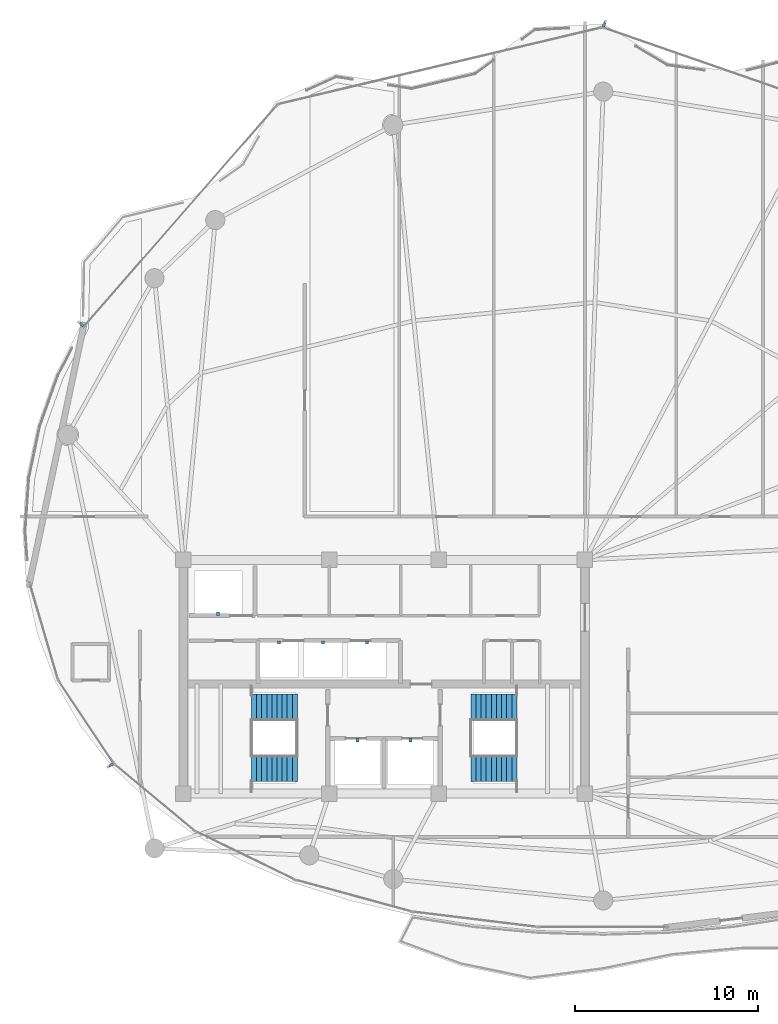
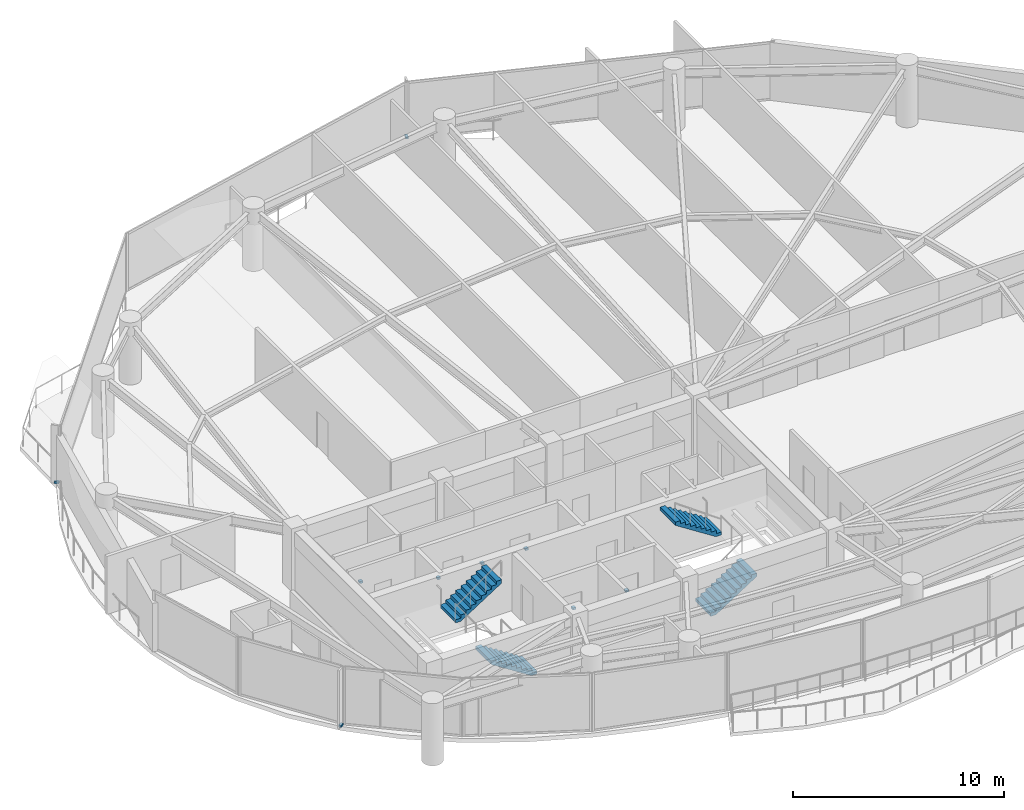
# One storey, part 25 of 28: 9 discrete accessories, 4 stair flights, 2 elements without a shape of their own.
"""IFC4 building model written with IfcOpenShell, lengths in metres."""

from ifc_helpers import new_model, si_unit, direction, frame, origin, origin_2d, place, context, subcontext, project, spatial, polyline, rectangle, outline, extrude, material, layer, layer_set, type_object, element, aggregate, save


model = new_model("IFC4")

# Units and contexts
model_context = context("Model", 3, precision=1e-05, world=origin(), true_north=direction((0.0, 1.0)))
body_context = subcontext(model_context, "Body", "Model", "MODEL_VIEW")
ifc_project = project(units=[si_unit("LENGTHUNIT", "METRE"), si_unit("AREAUNIT", "SQUARE_METRE"), si_unit("VOLUMEUNIT", "CUBIC_METRE"), si_unit("PLANEANGLEUNIT", "RADIAN"), si_unit("MASSUNIT", "GRAM", prefix="KILO")], contexts=[model_context])

# Site, building, storey
site_placement = place(None, origin())
site = spatial("IfcSite", under=ifc_project, at=site_placement, CompositionType="ELEMENT")
building_placement = place(site_placement, origin())
building = spatial("IfcBuilding", under=site, at=building_placement, Name="Kazevale Care Tower and Concert Hall", CompositionType="ELEMENT")
storey_placement = place(building_placement, frame((0.0, 0.0, 228.0)))
storey = spatial("IfcBuildingStorey", under=building, at=storey_placement, Name="L60", CompositionType="ELEMENT", Elevation=228.0)

# Stair, stair flights
ifc_material_1 = material(Name="Concrete C40", Category="concrete")
stair_type = type_object("IfcStairType", Name="Exit Stair Assembly ST1-Z3", PredefinedType="HALF_TURN_STAIR", material=ifc_material_1)
stair_1_placement = place(storey_placement, origin())
stair_1 = element("IfcStair", 1, at=stair_1_placement, inside=storey, type_object=stair_type, Name="stair:L60:ST1", PredefinedType="HALF_TURN_STAIR")
ifc_layer = layer(ifc_material_1, 0.159912109375)
ifc_layer_set = layer_set([ifc_layer], Name="Concrete C40")
stair_flight_type = type_object("IfcStairFlightType", Name="Exit Stair Flight ST1-Z3", PredefinedType="STRAIGHT", material=ifc_layer_set)
stair_flight_1_placement = place(storey_placement, frame((28.25, 24.97509765625, 0.0), z_axis=(0.0, 0.0, 1.0), x_axis=(-1.0, 0.0, 0.0)))
stair_flight_1 = element("IfcStairFlight", 2, at=stair_flight_1_placement, type_object=stair_flight_type, Name="ST1-Z3 flight 1", NumberOfRisers=10, NumberOfTreads=9, PredefinedType="STRAIGHT", RiserHeight=0.18, TreadLength=0.28, context=body_context, shape_type="SweptSolid", body=[
    extrude(outline(polyline([(0.0, 0.0), (0.0, 0.179931640625), (0.280029296875, 0.179931640625), (0.280029296875, 0.360107421875), (0.56005859375, 0.360107421875), (0.56005859375, 0.5400390625), (0.840087890625, 0.5400390625), (0.840087890625, 0.719970703125), (1.1201171875, 0.719970703125), (1.1201171875, 0.89990234375), (1.39990234375, 0.89990234375), (1.39990234375, 1.080078125), (1.679931640625, 1.080078125), (1.679931640625, 1.260009765625), (1.9599609375, 1.260009765625), (1.9599609375, 1.43994140625), (2.239990234375, 1.43994140625), (2.239990234375, 1.6201171875), (2.52001953125, 1.6201171875), (2.52001953125, 1.800048828125), (2.52001953125, 1.429931640625), (0.295654296875, 0.0), (0.0, 0.0)])), frame((0.0, 0.72509765625, 0.0), z_axis=(0.0, -1.0, 0.0), x_axis=(1.0, 0.0, 0.0)), (0.0, 0.0, 1.0), 1.449951171875),
])
stair_flight_2_placement = place(storey_placement, frame((25.72998046875, 28.324951171875, 1.800048828125), z_axis=(0.0, 0.0, 1.0), x_axis=(1.0, 0.0, 0.0)))
stair_flight_2 = element("IfcStairFlight", 3, at=stair_flight_2_placement, type_object=stair_flight_type, Name="ST1-Z3 flight 2", NumberOfRisers=10, NumberOfTreads=9, PredefinedType="STRAIGHT", RiserHeight=0.18, TreadLength=0.28, context=body_context, shape_type="SweptSolid", body=[
    extrude(outline(polyline([(0.0, 0.0), (0.0, 0.179931640625), (0.280029296875, 0.179931640625), (0.280029296875, 0.360107421875), (0.56005859375, 0.360107421875), (0.56005859375, 0.5400390625), (0.840087890625, 0.5400390625), (0.840087890625, 0.719970703125), (1.1201171875, 0.719970703125), (1.1201171875, 0.89990234375), (1.39990234375, 0.89990234375), (1.39990234375, 1.080078125), (1.679931640625, 1.080078125), (1.679931640625, 1.260009765625), (1.9599609375, 1.260009765625), (1.9599609375, 1.43994140625), (2.239990234375, 1.43994140625), (2.239990234375, 1.6201171875), (2.52001953125, 1.6201171875), (2.52001953125, 1.800048828125), (2.52001953125, 1.429931640625), (0.295654296875, 0.0), (0.0, 0.0)])), frame((0.0, 0.72509765625, 0.0), z_axis=(0.0, -1.0, 0.0), x_axis=(1.0, 0.0, 0.0)), (0.0, 0.0, 1.0), 1.449951171875),
])
aggregate(stair_1, [stair_flight_1, stair_flight_2])

stair_2_placement = place(storey_placement, origin())
stair_2 = element("IfcStair", 4, at=stair_2_placement, inside=storey, type_object=stair_type, Name="stair:L60:ST2", PredefinedType="HALF_TURN_STAIR")
stair_flight_3_placement = place(storey_placement, frame((37.75, 24.97509765625, 0.0), z_axis=(0.0, 0.0, 1.0), x_axis=(1.0, 0.0, 0.0)))
stair_flight_3 = element("IfcStairFlight", 5, at=stair_flight_3_placement, type_object=stair_flight_type, Name="ST1-Z3 flight 1", NumberOfRisers=10, NumberOfTreads=9, PredefinedType="STRAIGHT", RiserHeight=0.18, TreadLength=0.28, context=body_context, shape_type="SweptSolid", body=[
    extrude(outline(polyline([(0.0, 0.0), (0.0, 0.179931640625), (0.280029296875, 0.179931640625), (0.280029296875, 0.360107421875), (0.56005859375, 0.360107421875), (0.56005859375, 0.5400390625), (0.840087890625, 0.5400390625), (0.840087890625, 0.719970703125), (1.1201171875, 0.719970703125), (1.1201171875, 0.89990234375), (1.39990234375, 0.89990234375), (1.39990234375, 1.080078125), (1.679931640625, 1.080078125), (1.679931640625, 1.260009765625), (1.9599609375, 1.260009765625), (1.9599609375, 1.43994140625), (2.239990234375, 1.43994140625), (2.239990234375, 1.6201171875), (2.52001953125, 1.6201171875), (2.52001953125, 1.800048828125), (2.52001953125, 1.429931640625), (0.295654296875, 0.0), (0.0, 0.0)])), frame((0.0, 0.72509765625, 0.0), z_axis=(0.0, -1.0, 0.0), x_axis=(1.0, 0.0, 0.0)), (0.0, 0.0, 1.0), 1.449951171875),
])
stair_flight_4_placement = place(storey_placement, frame((40.27001953125, 28.324951171875, 1.800048828125), z_axis=(0.0, 0.0, 1.0), x_axis=(-1.0, 0.0, 0.0)))
stair_flight_4 = element("IfcStairFlight", 6, at=stair_flight_4_placement, type_object=stair_flight_type, Name="ST1-Z3 flight 2", NumberOfRisers=10, NumberOfTreads=9, PredefinedType="STRAIGHT", RiserHeight=0.18, TreadLength=0.28, context=body_context, shape_type="SweptSolid", body=[
    extrude(outline(polyline([(0.0, 0.0), (0.0, 0.179931640625), (0.280029296875, 0.179931640625), (0.280029296875, 0.360107421875), (0.56005859375, 0.360107421875), (0.56005859375, 0.5400390625), (0.840087890625, 0.5400390625), (0.840087890625, 0.719970703125), (1.1201171875, 0.719970703125), (1.1201171875, 0.89990234375), (1.39990234375, 0.89990234375), (1.39990234375, 1.080078125), (1.679931640625, 1.080078125), (1.679931640625, 1.260009765625), (1.9599609375, 1.260009765625), (1.9599609375, 1.43994140625), (2.239990234375, 1.43994140625), (2.239990234375, 1.6201171875), (2.52001953125, 1.6201171875), (2.52001953125, 1.800048828125), (2.52001953125, 1.429931640625), (0.295654296875, 0.0), (0.0, 0.0)])), frame((0.0, 0.72509765625, 0.0), z_axis=(0.0, -1.0, 0.0), x_axis=(1.0, 0.0, 0.0)), (0.0, 0.0, 1.0), 1.449951171875),
])
aggregate(stair_2, [stair_flight_3, stair_flight_4])

# Discrete accessories
ifc_material_2 = material(Name="Stainless Steel 316", Category="steel")
discrete_accessory_type_1 = type_object("IfcDiscreteAccessoryType", Name="Facade Fin Stainless Anchor Bracket BRK-1", PredefinedType="BRACKET", material=ifc_material_2)
for number, where, z_axis, x_axis, name in (
    (7, (18.04443359375, 25.1689453125, 0.0), (0.0, 0.0, 1.0), (-0.832147748683, -0.554553986878, 0.0), "cw:L60:f11:brk"),
    (8, (16.42626953125, 49.291015625, 0.0), (0.0, 0.0, 1.0), (-0.753792813636, 0.657112162503, 0.0), "cw:L60:f14:brk"),
    (9, (45.047607421875, 65.71533203125, 0.0), (0.0, 0.0, 1.0), (0.328536977169, 0.944491108816, 0.0), "cw:L60:f16:brk"),
):
    element("IfcDiscreteAccessory", number, at=place(storey_placement, frame(where, z_axis=z_axis, x_axis=x_axis)), inside=storey, type_object=discrete_accessory_type_1, Name=name, PredefinedType="BRACKET", context=body_context, shape_type="SweptSolid", body=[
        extrude(rectangle(XDim=0.239990234375, YDim=0.139892578125, at=origin_2d()), origin(), (0.0, 0.0, 1.0), 0.1201171875),
    ])
discrete_accessory_type_2 = type_object("IfcDiscreteAccessoryType", Name="Hoistway Guide-Rail Wall Bracket HBRK-1", PredefinedType="BRACKET", material=ifc_material_2)
for number, where, z_axis, x_axis, name in (
    (10, (31.550048828125, 26.52001953125, 1.239990234375), (0.0, 0.0, 1.0), (1.0, 0.0, 0.0), "hbrk:FFL-1:L60"),
    (11, (34.449951171875, 26.52001953125, 1.239990234375), (0.0, 0.0, 1.0), (1.0, 0.0, 0.0), "hbrk:FFL-2:L60"),
    (12, (23.89990234375, 33.449951171875, 1.239990234375), (0.0, 0.0, 1.0), (1.0, 0.0, 0.0), "hbrk:SVL-1:L60"),
    (13, (27.25, 31.8798828125, 1.239990234375), (0.0, 0.0, 1.0), (1.0, 0.0, 0.0), "hbrk:PH-1:L60"),
    (14, (29.64990234375, 31.8798828125, 1.239990234375), (0.0, 0.0, 1.0), (1.0, 0.0, 0.0), "hbrk:PH-2:L60"),
    (15, (32.050048828125, 31.8798828125, 1.239990234375), (0.0, 0.0, 1.0), (1.0, 0.0, 0.0), "hbrk:PH-3:L60"),
):
    element("IfcDiscreteAccessory", number, at=place(storey_placement, frame(where, z_axis=z_axis, x_axis=x_axis)), inside=storey, type_object=discrete_accessory_type_2, Name=name, PredefinedType="BRACKET", context=body_context, shape_type="SweptSolid", body=[
        extrude(rectangle(XDim=0.159912109375, YDim=0.179931640625, at=origin_2d()), origin(), (0.0, 0.0, 1.0), 0.1201171875),
    ])

save(model, "model.ifc")
